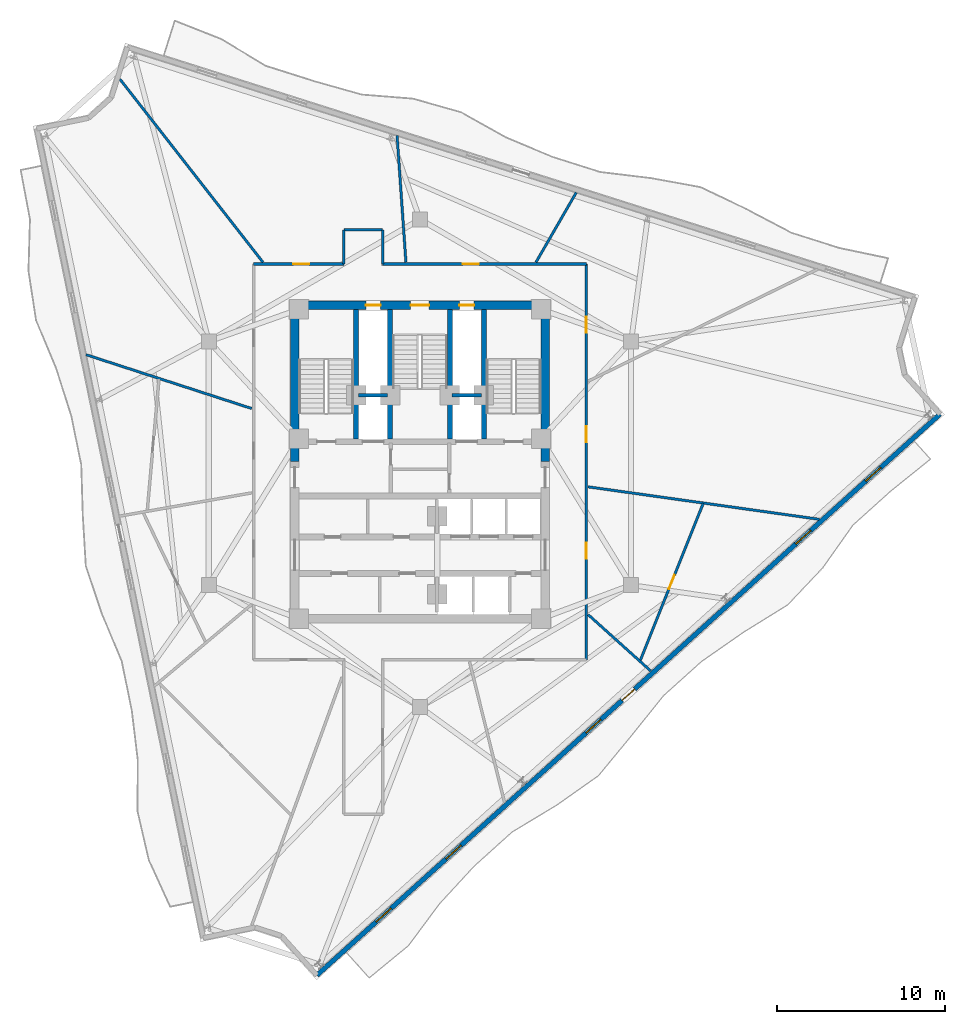
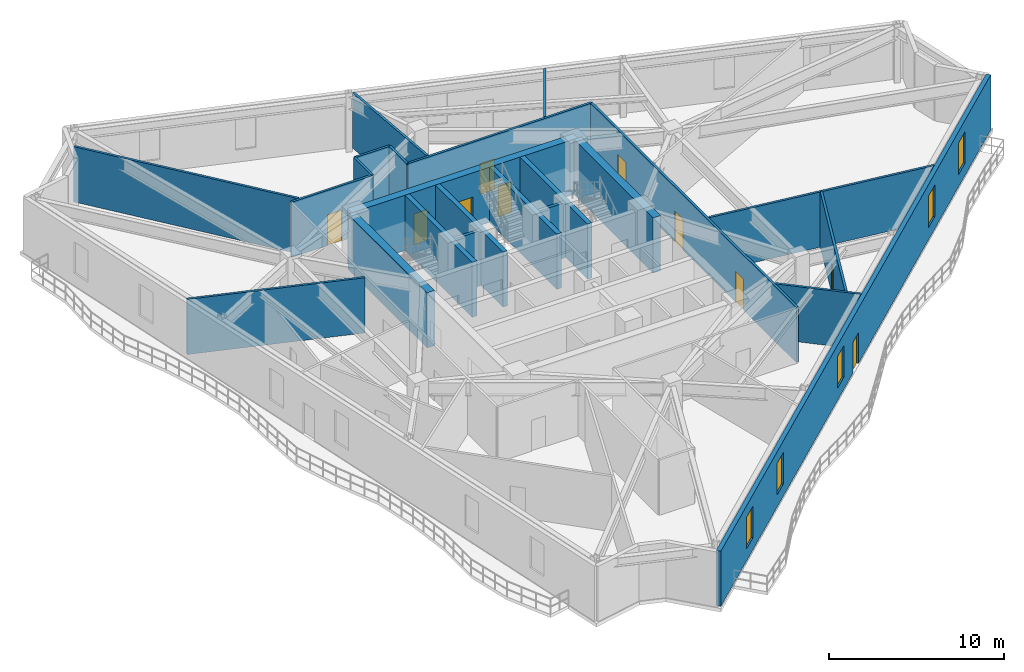
# One storey, part 7 of 12: 23 walls, 10 doors, 5 windows, 15 openings.
"""IFC4 building model written with IfcOpenShell, lengths in metres."""

from ifc_helpers import new_model, si_unit, direction, frame, frame_2d, origin, place, context, subcontext, project, spatial, rectangle, extrude, material, layer, layer_set, type_object, element, fill, save


model = new_model("IFC4")

# Units and contexts
model_context = context("Model", 3, precision=1e-05, world=origin(), true_north=direction((0.0, 1.0)))
body_context = subcontext(model_context, "Body", "Model", "MODEL_VIEW")
ifc_project = project(units=[si_unit("LENGTHUNIT", "METRE"), si_unit("AREAUNIT", "SQUARE_METRE"), si_unit("VOLUMEUNIT", "CUBIC_METRE"), si_unit("PLANEANGLEUNIT", "RADIAN"), si_unit("MASSUNIT", "GRAM", prefix="KILO")], contexts=[model_context])

# Site, building, storey
site_placement = place(None, origin())
site = spatial("IfcSite", under=ifc_project, at=site_placement, CompositionType="ELEMENT")
building_placement = place(site_placement, origin())
building = spatial("IfcBuilding", under=site, at=building_placement, Name="Apsidion Concourse Tower", CompositionType="ELEMENT")
storey_placement = place(building_placement, frame((0.0, 0.0, 232.199951171875)))
storey = spatial("IfcBuildingStorey", under=building, at=storey_placement, Name="L54", CompositionType="ELEMENT", Elevation=232.199951171875)

# Wall, openings, door, windows
ifc_material_1 = material(Name="Precast concrete C40/50", Category="concrete")
ifc_layer_1 = layer(ifc_material_1, 0.280029296875)
ifc_layer_set_1 = layer_set([ifc_layer_1], Name="Precast concrete C40/50")
wall_type_1 = type_object("IfcWallType", Name="WL-EXT-280", PredefinedType="STANDARD", material=ifc_layer_set_1)
wall_1_placement = place(storey_placement, frame((30.9345703125, 2.915771484375, 0.0), z_axis=(0.0, 0.0, 1.0), x_axis=(-0.743143233829, -0.66913237406, 0.0)))
wall_1 = element("IfcWall", 1, at=wall_1_placement, inside=storey, type_object=wall_type_1, Name="L54 Precast Stone Facade Wall 05", PredefinedType="STANDARD", context=body_context, shape_type="SweptSolid", body=[
    extrude(rectangle(XDim=49.8798828125, YDim=0.280029296875, at=frame_2d((24.93994140625, 0.0))), origin(), (0.0, 0.0, 1.0), 3.85009765625),
])
opening_1_placement = place(wall_1_placement, frame((24.43994140625, 0.0, 0.0)))
opening_1 = element("IfcOpeningElement", 2, at=opening_1_placement, cuts=wall_1, Name="Opening D-T1R", PredefinedType="OPENING", context=body_context, shape_type="SweptSolid", body=[
    extrude(rectangle(XDim=1.0, YDim=2.14990234375, at=frame_2d((0.5, 1.074951171875))), frame((0.0, 0.14990234375, 0.0), z_axis=(0.0, -1.0, 0.0), x_axis=(1.0, 0.0, 0.0)), (0.0, 0.0, 1.0), 0.300048828125),
])
opening_2_placement = place(wall_1_placement, frame((4.739990234375, 0.0, 0.85009765625)))
opening_2 = element("IfcOpeningElement", 3, at=opening_2_placement, cuts=wall_1, Name="Opening WN-06", PredefinedType="OPENING", context=body_context, shape_type="SweptSolid", body=[
    extrude(rectangle(XDim=1.199951171875, YDim=2.199951171875, at=frame_2d((0.60009765625, 1.10009765625))), frame((0.0, 0.14990234375, 0.0), z_axis=(0.0, -1.0, 0.0), x_axis=(1.0, 0.0, 0.0)), (0.0, 0.0, 1.0), 0.300048828125),
])
opening_3_placement = place(wall_1_placement, frame((10.33984375, 0.0, 0.85009765625)))
opening_3 = element("IfcOpeningElement", 4, at=opening_3_placement, cuts=wall_1, Name="Opening WN-06", PredefinedType="OPENING", context=body_context, shape_type="SweptSolid", body=[
    extrude(rectangle(XDim=1.199951171875, YDim=2.199951171875, at=frame_2d((0.60009765625, 1.10009765625))), frame((0.0, 0.14990234375, 0.0), z_axis=(0.0, -1.0, 0.0), x_axis=(1.0, 0.0, 0.0)), (0.0, 0.0, 1.0), 0.300048828125),
])
opening_4_placement = place(wall_1_placement, frame((27.139892578125, 0.0, 0.85009765625)))
opening_4 = element("IfcOpeningElement", 5, at=opening_4_placement, cuts=wall_1, Name="Opening WN-06", PredefinedType="OPENING", context=body_context, shape_type="SweptSolid", body=[
    extrude(rectangle(XDim=1.199951171875, YDim=2.199951171875, at=frame_2d((0.60009765625, 1.10009765625))), frame((0.0, 0.14990234375, 0.0), z_axis=(0.0, -1.0, 0.0), x_axis=(1.0, 0.0, 0.0)), (0.0, 0.0, 1.0), 0.300048828125),
])
opening_5_placement = place(wall_1_placement, frame((38.33984375, 0.0, 0.85009765625)))
opening_5 = element("IfcOpeningElement", 6, at=opening_5_placement, cuts=wall_1, Name="Opening WN-06", PredefinedType="OPENING", context=body_context, shape_type="SweptSolid", body=[
    extrude(rectangle(XDim=1.199951171875, YDim=2.199951171875, at=frame_2d((0.60009765625, 1.10009765625))), frame((0.0, 0.14990234375, 0.0), z_axis=(0.0, -1.0, 0.0), x_axis=(1.0, 0.0, 0.0)), (0.0, 0.0, 1.0), 0.300048828125),
])
opening_6_placement = place(wall_1_placement, frame((43.93994140625, 0.0, 0.85009765625)))
opening_6 = element("IfcOpeningElement", 7, at=opening_6_placement, cuts=wall_1, Name="Opening WN-06", PredefinedType="OPENING", context=body_context, shape_type="SweptSolid", body=[
    extrude(rectangle(XDim=1.199951171875, YDim=2.199951171875, at=frame_2d((0.60009765625, 1.10009765625))), frame((0.0, 0.14990234375, 0.0), z_axis=(0.0, -1.0, 0.0), x_axis=(1.0, 0.0, 0.0)), (0.0, 0.0, 1.0), 0.300048828125),
])
ifc_material_2 = material(Name="Anodised aluminium EN AW-6063 T6", Category="aluminium")
door_type_1 = type_object("IfcDoorType", Name="DR-TER-1022R", OperationType="SINGLE_SWING_RIGHT", PredefinedType="DOOR", material=ifc_material_2)
door_1_placement = place(opening_1_placement, origin())
door_1 = element("IfcDoor", 8, at=door_1_placement, inside=storey, type_object=door_type_1, Name="L54 Balcony Access Door 2", OperationType="SINGLE_SWING_RIGHT", OverallHeight=2.14990234375, OverallWidth=1.0, PredefinedType="DOOR", context=body_context, shape_type="SweptSolid", body=[
    extrude(rectangle(XDim=1.0, YDim=2.14990234375, at=frame_2d((0.5, 1.074951171875))), frame((0.0, 0.02490234375, 0.0), z_axis=(0.0, -1.0, 0.0), x_axis=(1.0, 0.0, 0.0)), (0.0, 0.0, 1.0), 0.050048828125),
])
fill(opening_1, door_1)
ifc_material_3 = material(Name="Insulated laminated low-E glass", Category="glass")
window_type = type_object("IfcWindowType", Name="WN-OFF-1224", PartitioningType="SINGLE_PANEL", PredefinedType="WINDOW", material=ifc_material_3)
window_1_placement = place(opening_2_placement, origin())
window_1 = element("IfcWindow", 9, at=window_1_placement, inside=storey, type_object=window_type, Name="L54 Punched Facade Window 5-01", OverallHeight=2.199951171875, OverallWidth=1.199951171875, PartitioningType="SINGLE_PANEL", PredefinedType="WINDOW", context=body_context, shape_type="SweptSolid", body=[
    extrude(rectangle(XDim=1.199951171875, YDim=2.199951171875, at=frame_2d((0.60009765625, 1.10009765625))), frame((0.0, 0.030029296875, 0.0), z_axis=(0.0, -1.0, 0.0), x_axis=(1.0, 0.0, 0.0)), (0.0, 0.0, 1.0), 0.06005859375),
])
fill(opening_2, window_1)
window_2_placement = place(opening_3_placement, origin())
window_2 = element("IfcWindow", 10, at=window_2_placement, inside=storey, type_object=window_type, Name="L54 Punched Facade Window 5-02", OverallHeight=2.199951171875, OverallWidth=1.199951171875, PartitioningType="SINGLE_PANEL", PredefinedType="WINDOW", context=body_context, shape_type="SweptSolid", body=[
    extrude(rectangle(XDim=1.199951171875, YDim=2.199951171875, at=frame_2d((0.60009765625, 1.10009765625))), frame((0.0, 0.030029296875, 0.0), z_axis=(0.0, -1.0, 0.0), x_axis=(1.0, 0.0, 0.0)), (0.0, 0.0, 1.0), 0.06005859375),
])
fill(opening_3, window_2)
window_3_placement = place(opening_4_placement, origin())
window_3 = element("IfcWindow", 11, at=window_3_placement, inside=storey, type_object=window_type, Name="L54 Punched Facade Window 5-05", OverallHeight=2.199951171875, OverallWidth=1.199951171875, PartitioningType="SINGLE_PANEL", PredefinedType="WINDOW", context=body_context, shape_type="SweptSolid", body=[
    extrude(rectangle(XDim=1.199951171875, YDim=2.199951171875, at=frame_2d((0.60009765625, 1.10009765625))), frame((0.0, 0.030029296875, 0.0), z_axis=(0.0, -1.0, 0.0), x_axis=(1.0, 0.0, 0.0)), (0.0, 0.0, 1.0), 0.06005859375),
])
fill(opening_4, window_3)
window_4_placement = place(opening_5_placement, origin())
window_4 = element("IfcWindow", 12, at=window_4_placement, inside=storey, type_object=window_type, Name="L54 Punched Facade Window 5-07", OverallHeight=2.199951171875, OverallWidth=1.199951171875, PartitioningType="SINGLE_PANEL", PredefinedType="WINDOW", context=body_context, shape_type="SweptSolid", body=[
    extrude(rectangle(XDim=1.199951171875, YDim=2.199951171875, at=frame_2d((0.60009765625, 1.10009765625))), frame((0.0, 0.030029296875, 0.0), z_axis=(0.0, -1.0, 0.0), x_axis=(1.0, 0.0, 0.0)), (0.0, 0.0, 1.0), 0.06005859375),
])
fill(opening_5, window_4)
window_5_placement = place(opening_6_placement, origin())
window_5 = element("IfcWindow", 13, at=window_5_placement, inside=storey, type_object=window_type, Name="L54 Punched Facade Window 5-08", OverallHeight=2.199951171875, OverallWidth=1.199951171875, PartitioningType="SINGLE_PANEL", PredefinedType="WINDOW", context=body_context, shape_type="SweptSolid", body=[
    extrude(rectangle(XDim=1.199951171875, YDim=2.199951171875, at=frame_2d((0.60009765625, 1.10009765625))), frame((0.0, 0.030029296875, 0.0), z_axis=(0.0, -1.0, 0.0), x_axis=(1.0, 0.0, 0.0)), (0.0, 0.0, 1.0), 0.06005859375),
])
fill(opening_6, window_5)

# Wall, opening, door
ifc_material_4 = material(Name="Gypsum plasterboard partition")
ifc_layer_2 = layer(ifc_material_4, 0.14990234375)
ifc_layer_set_2 = layer_set([ifc_layer_2], Name="Gypsum plasterboard partition")
wall_type_2 = type_object("IfcWallType", Name="WL-INT-PAR-150", PredefinedType="PARTITIONING", material=ifc_layer_set_2)
wall_2_placement = place(storey_placement, frame((-9.89990234375, 11.85009765625, 0.0), z_axis=(0.0, 0.0, 1.0), x_axis=(1.0, 0.0, 0.0)))
wall_2 = element("IfcWall", 14, at=wall_2_placement, inside=storey, type_object=wall_type_2, Name="L54 Interior Partition WL-L54-CORR-03", PredefinedType="PARTITIONING", context=body_context, shape_type="SweptSolid", body=[
    extrude(rectangle(XDim=5.369873046875, YDim=0.14990234375, at=frame_2d((2.68505859375, 0.0))), origin(), (0.0, 0.0, 1.0), 3.85009765625),
])
opening_7_placement = place(wall_2_placement, frame((2.362548828125, 0.0, 0.0)))
opening_7 = element("IfcOpeningElement", 15, at=opening_7_placement, cuts=wall_2, Name="Opening D-01L", PredefinedType="OPENING", context=body_context, shape_type="SweptSolid", body=[
    extrude(rectangle(XDim=0.949951171875, YDim=2.14990234375, at=frame_2d((0.47509765625, 1.074951171875))), frame((0.0, 0.0849609375, 0.0), z_axis=(0.0, -1.0, 0.0), x_axis=(1.0, 0.0, 0.0)), (0.0, 0.0, 1.0), 0.169921875),
])
ifc_material_5 = material(Name="Brushed stainless steel 316", Category="steel")
door_type_2 = type_object("IfcDoorType", Name="DR-INT-D01L", OperationType="SINGLE_SWING_LEFT", PredefinedType="DOOR", material=ifc_material_5)
door_2_placement = place(opening_7_placement, origin())
door_2 = element("IfcDoor", 16, at=door_2_placement, inside=storey, type_object=door_type_2, Name="L54 Corridor Entry Door 09", OperationType="SINGLE_SWING_LEFT", OverallHeight=2.14990234375, OverallWidth=0.949951171875, PredefinedType="DOOR", context=body_context, shape_type="SweptSolid", body=[
    extrude(rectangle(XDim=0.949951171875, YDim=2.14990234375, at=frame_2d((0.47509765625, 1.074951171875))), frame((0.0, 0.02490234375, 0.0), z_axis=(0.0, -1.0, 0.0), x_axis=(1.0, 0.0, 0.0)), (0.0, 0.0, 1.0), 0.050048828125),
])
fill(opening_7, door_2)

# Walls
wall_3_placement = place(storey_placement, frame((-4.530029296875, 11.85009765625, 0.0), z_axis=(0.0, 0.0, 1.0), x_axis=(0.0, 1.0, 0.0)))
element("IfcWall", 17, at=wall_3_placement, inside=storey, type_object=wall_type_2, Name="L54 Interior Partition WL-L54-CORR-04", PredefinedType="PARTITIONING", context=body_context, shape_type="SweptSolid", body=[
    extrude(rectangle(XDim=2.02978515625, YDim=0.14990234375, at=frame_2d((1.014892578125, 0.0))), origin(), (0.0, 0.0, 1.0), 3.85009765625),
])
wall_4_placement = place(storey_placement, frame((-4.530029296875, 13.8798828125, 0.0), z_axis=(0.0, 0.0, 1.0), x_axis=(1.0, 0.0, 0.0)))
element("IfcWall", 18, at=wall_4_placement, inside=storey, type_object=wall_type_2, Name="L54 Interior Partition WL-L54-CORR-05", PredefinedType="PARTITIONING", context=body_context, shape_type="SweptSolid", body=[
    extrude(rectangle(XDim=2.31005859375, YDim=0.14990234375, at=frame_2d((1.155029296875, 0.0))), origin(), (0.0, 0.0, 1.0), 3.85009765625),
])
wall_5_placement = place(storey_placement, frame((-2.219970703125, 13.8798828125, 0.0), z_axis=(0.0, 0.0, 1.0), x_axis=(0.0, -1.0, 0.0)))
element("IfcWall", 19, at=wall_5_placement, inside=storey, type_object=wall_type_2, Name="L54 Interior Partition WL-L54-CORR-06", PredefinedType="PARTITIONING", context=body_context, shape_type="SweptSolid", body=[
    extrude(rectangle(XDim=2.02978515625, YDim=0.14990234375, at=frame_2d((1.014892578125, 0.0))), origin(), (0.0, 0.0, 1.0), 3.85009765625),
])

# Wall, opening, door
wall_6_placement = place(storey_placement, frame((-2.219970703125, 11.85009765625, 0.0), z_axis=(0.0, 0.0, 1.0), x_axis=(1.0, 0.0, 0.0)))
wall_6 = element("IfcWall", 20, at=wall_6_placement, inside=storey, type_object=wall_type_2, Name="L54 Interior Partition WL-L54-CORR-07", PredefinedType="PARTITIONING", context=body_context, shape_type="SweptSolid", body=[
    extrude(rectangle(XDim=12.119873046875, YDim=0.14990234375, at=frame_2d((6.06005859375, 0.0))), origin(), (0.0, 0.0, 1.0), 3.85009765625),
])
opening_8_placement = place(wall_6_placement, frame((4.774169921875, 0.0, 0.0)))
opening_8 = element("IfcOpeningElement", 21, at=opening_8_placement, cuts=wall_6, Name="Opening D-01R", PredefinedType="OPENING", context=body_context, shape_type="SweptSolid", body=[
    extrude(rectangle(XDim=0.949951171875, YDim=2.14990234375, at=frame_2d((0.47509765625, 1.074951171875))), frame((0.0, 0.0849609375, 0.0), z_axis=(0.0, -1.0, 0.0), x_axis=(1.0, 0.0, 0.0)), (0.0, 0.0, 1.0), 0.169921875),
])
door_type_3 = type_object("IfcDoorType", Name="DR-INT-D01R", OperationType="SINGLE_SWING_RIGHT", PredefinedType="DOOR", material=ifc_material_5)
door_3_placement = place(opening_8_placement, origin())
door_3 = element("IfcDoor", 22, at=door_3_placement, inside=storey, type_object=door_type_3, Name="L54 Corridor Entry Door 08", OperationType="SINGLE_SWING_RIGHT", OverallHeight=2.14990234375, OverallWidth=0.949951171875, PredefinedType="DOOR", context=body_context, shape_type="SweptSolid", body=[
    extrude(rectangle(XDim=0.949951171875, YDim=2.14990234375, at=frame_2d((0.47509765625, 1.074951171875))), frame((0.0, 0.02490234375, 0.0), z_axis=(0.0, -1.0, 0.0), x_axis=(1.0, 0.0, 0.0)), (0.0, 0.0, 1.0), 0.050048828125),
])
fill(opening_8, door_3)

# Wall, openings, doors
wall_7_placement = place(storey_placement, frame((9.89990234375, 11.85009765625, 0.0), z_axis=(0.0, 0.0, 1.0), x_axis=(0.0, -1.0, 0.0)))
wall_7 = element("IfcWall", 23, at=wall_7_placement, inside=storey, type_object=wall_type_2, Name="L54 Interior Partition WL-L54-CORR-08", PredefinedType="PARTITIONING", context=body_context, shape_type="SweptSolid", body=[
    extrude(rectangle(XDim=23.550048828125, YDim=0.14990234375, at=frame_2d((11.77490234375, 0.0))), origin(), (0.0, 0.0, 1.0), 3.85009765625),
])
opening_9_placement = place(wall_7_placement, frame((16.584716796875, 0.0, 0.0)))
opening_9 = element("IfcOpeningElement", 24, at=opening_9_placement, cuts=wall_7, Name="Opening D-01L", PredefinedType="OPENING", context=body_context, shape_type="SweptSolid", body=[
    extrude(rectangle(XDim=0.949951171875, YDim=2.14990234375, at=frame_2d((0.47509765625, 1.074951171875))), frame((0.0, 0.0849609375, 0.0), z_axis=(0.0, -1.0, 0.0), x_axis=(1.0, 0.0, 0.0)), (0.0, 0.0, 1.0), 0.169921875),
])
opening_10_placement = place(wall_7_placement, frame((9.64208984375, 0.0, 0.0)))
opening_10 = element("IfcOpeningElement", 25, at=opening_10_placement, cuts=wall_7, Name="Opening D-01R", PredefinedType="OPENING", context=body_context, shape_type="SweptSolid", body=[
    extrude(rectangle(XDim=0.949951171875, YDim=2.14990234375, at=frame_2d((0.47509765625, 1.074951171875))), frame((0.0, 0.0849609375, 0.0), z_axis=(0.0, -1.0, 0.0), x_axis=(1.0, 0.0, 0.0)), (0.0, 0.0, 1.0), 0.169921875),
])
opening_11_placement = place(wall_7_placement, frame((3.139892578125, 0.0, 0.0)))
opening_11 = element("IfcOpeningElement", 26, at=opening_11_placement, cuts=wall_7, Name="Opening D-01L", PredefinedType="OPENING", context=body_context, shape_type="SweptSolid", body=[
    extrude(rectangle(XDim=0.949951171875, YDim=2.14990234375, at=frame_2d((0.47509765625, 1.074951171875))), frame((0.0, 0.0849609375, 0.0), z_axis=(0.0, -1.0, 0.0), x_axis=(1.0, 0.0, 0.0)), (0.0, 0.0, 1.0), 0.169921875),
])
door_4_placement = place(opening_9_placement, origin())
door_4 = element("IfcDoor", 27, at=door_4_placement, inside=storey, type_object=door_type_2, Name="L54 Corridor Entry Door 05", OperationType="SINGLE_SWING_LEFT", OverallHeight=2.14990234375, OverallWidth=0.949951171875, PredefinedType="DOOR", context=body_context, shape_type="SweptSolid", body=[
    extrude(rectangle(XDim=0.949951171875, YDim=2.14990234375, at=frame_2d((0.47509765625, 1.074951171875))), frame((0.0, 0.02490234375, 0.0), z_axis=(0.0, -1.0, 0.0), x_axis=(1.0, 0.0, 0.0)), (0.0, 0.0, 1.0), 0.050048828125),
])
fill(opening_9, door_4)
door_5_placement = place(opening_11_placement, origin())
door_5 = element("IfcDoor", 28, at=door_5_placement, inside=storey, type_object=door_type_2, Name="L54 Corridor Entry Door 07", OperationType="SINGLE_SWING_LEFT", OverallHeight=2.14990234375, OverallWidth=0.949951171875, PredefinedType="DOOR", context=body_context, shape_type="SweptSolid", body=[
    extrude(rectangle(XDim=0.949951171875, YDim=2.14990234375, at=frame_2d((0.47509765625, 1.074951171875))), frame((0.0, 0.02490234375, 0.0), z_axis=(0.0, -1.0, 0.0), x_axis=(1.0, 0.0, 0.0)), (0.0, 0.0, 1.0), 0.050048828125),
])
fill(opening_11, door_5)
door_6_placement = place(opening_10_placement, origin())
door_6 = element("IfcDoor", 29, at=door_6_placement, inside=storey, type_object=door_type_3, Name="L54 Corridor Entry Door 06", OperationType="SINGLE_SWING_RIGHT", OverallHeight=2.14990234375, OverallWidth=0.949951171875, PredefinedType="DOOR", context=body_context, shape_type="SweptSolid", body=[
    extrude(rectangle(XDim=0.949951171875, YDim=2.14990234375, at=frame_2d((0.47509765625, 1.074951171875))), frame((0.0, 0.02490234375, 0.0), z_axis=(0.0, -1.0, 0.0), x_axis=(1.0, 0.0, 0.0)), (0.0, 0.0, 1.0), 0.050048828125),
])
fill(opening_10, door_6)

# Walls
wall_8_placement = place(storey_placement, frame((6.902099609375, 11.955078125, 0.0), z_axis=(0.0, 0.0, 1.0), x_axis=(0.500009234706, 0.866020072059, 0.0)))
element("IfcWall", 30, at=wall_8_placement, inside=storey, type_object=wall_type_2, Name="L54 Interior Partition WL-L54-RAD-02-1", PredefinedType="PARTITIONING", context=body_context, shape_type="SweptSolid", body=[
    extrude(rectangle(XDim=4.7900390625, YDim=0.14990234375, at=frame_2d((2.39501953125, 0.0))), origin(), (0.0, 0.0, 1.0), 3.85009765625),
])
wall_9_placement = place(storey_placement, frame((-0.8359375, 11.955078125, 0.0), z_axis=(0.0, 0.0, 1.0), x_axis=(-0.069760607816, 0.997563761169, 0.0)))
element("IfcWall", 31, at=wall_9_placement, inside=storey, type_object=wall_type_2, Name="L54 Interior Partition WL-L54-RAD-03-1", PredefinedType="PARTITIONING", context=body_context, shape_type="SweptSolid", body=[
    extrude(rectangle(XDim=7.55224609375, YDim=0.14990234375, at=frame_2d((3.776123046875, 0.0))), origin(), (0.0, 0.0, 1.0), 3.85009765625),
])
wall_10_placement = place(storey_placement, frame((-9.34033203125, 11.955078125, 0.0), z_axis=(0.0, 0.0, 1.0), x_axis=(-0.615663582136, 0.788009107582, 0.0)))
element("IfcWall", 32, at=wall_10_placement, inside=storey, type_object=wall_type_2, Name="L54 Interior Partition WL-L54-RAD-04-1", PredefinedType="PARTITIONING", context=body_context, shape_type="SweptSolid", body=[
    extrude(rectangle(XDim=13.820068359375, YDim=0.14990234375, at=frame_2d((6.91015625, 0.0))), origin(), (0.0, 0.0, 1.0), 3.85009765625),
])
wall_11_placement = place(storey_placement, frame((-10.0048828125, 3.250732421875, 0.0), z_axis=(0.0, 0.0, 1.0), x_axis=(-0.951056724961, 0.309016352167, 0.0)))
element("IfcWall", 33, at=wall_11_placement, inside=storey, type_object=wall_type_2, Name="L54 Interior Partition WL-L54-RAD-05-1", PredefinedType="PARTITIONING", context=body_context, shape_type="SweptSolid", body=[
    extrude(rectangle(XDim=10.37255859375, YDim=0.14990234375, at=frame_2d((5.186279296875, 0.0))), origin(), (0.0, 0.0, 1.0), 3.85009765625),
])
wall_12_placement = place(storey_placement, frame((10.0048828125, -9.008544921875, 0.0), z_axis=(0.0, 0.0, 1.0), x_axis=(0.743153755308, -0.669120688644, 0.0)))
element("IfcWall", 34, at=wall_12_placement, inside=storey, type_object=wall_type_2, Name="L54 Interior Partition WL-L54-RAD-10-1", PredefinedType="PARTITIONING", context=body_context, shape_type="SweptSolid", body=[
    extrude(rectangle(XDim=5.015869140625, YDim=0.14990234375, at=frame_2d((2.5078125, 0.0))), origin(), (0.0, 0.0, 1.0), 3.85009765625),
])
wall_13_placement = place(storey_placement, frame((10.0048828125, -1.406005859375, 0.0), z_axis=(0.0, 0.0, 1.0), x_axis=(0.990266235932, -0.139186141457, 0.0)))
element("IfcWall", 35, at=wall_13_placement, inside=storey, type_object=wall_type_2, Name="L54 Interior Partition WL-L54-RAD-11-1", PredefinedType="PARTITIONING", context=body_context, shape_type="SweptSolid", body=[
    extrude(rectangle(XDim=13.886962890625, YDim=0.14990234375, at=frame_2d((6.943359375, 0.0))), origin(), (0.0, 0.0, 1.0), 3.85009765625),
])

# Wall, opening, door
wall_14_placement = place(storey_placement, frame((13.093994140625, -11.75634765625, 0.0), z_axis=(0.0, 0.0, 1.0), x_axis=(0.372320948008, 0.928104041406, 0.0)))
wall_14 = element("IfcWall", 36, at=wall_14_placement, inside=storey, type_object=wall_type_2, Name="L54 Interior Partition WL-L54-CHD-OFS04", PredefinedType="PARTITIONING", context=body_context, shape_type="SweptSolid", body=[
    extrude(rectangle(XDim=10.08837890625, YDim=0.14990234375, at=frame_2d((5.044189453125, 0.0))), origin(), (0.0, 0.0, 1.0), 3.85009765625),
])
opening_12_placement = place(wall_14_placement, frame((4.593994140625, 0.0, 0.0)))
opening_12 = element("IfcOpeningElement", 37, at=opening_12_placement, cuts=wall_14, Name="Opening D-02L", PredefinedType="OPENING", context=body_context, shape_type="SweptSolid", body=[
    extrude(rectangle(XDim=0.89990234375, YDim=2.10009765625, at=frame_2d((0.449951171875, 1.050048828125))), frame((0.0, 0.0849609375, 0.0), z_axis=(0.0, -1.0, 0.0), x_axis=(1.0, 0.0, 0.0)), (0.0, 0.0, 1.0), 0.169921875),
])
door_type_4 = type_object("IfcDoorType", Name="DR-INT-D02L", OperationType="SINGLE_SWING_LEFT", PredefinedType="DOOR", material=ifc_material_2)
door_7_placement = place(opening_12_placement, origin())
door_7 = element("IfcDoor", 38, at=door_7_placement, inside=storey, type_object=door_type_4, Name="L54 Suite Connecting Door OFS04", OperationType="SINGLE_SWING_LEFT", OverallHeight=2.10009765625, OverallWidth=0.89990234375, PredefinedType="DOOR", context=body_context, shape_type="SweptSolid", body=[
    extrude(rectangle(XDim=0.89990234375, YDim=2.10009765625, at=frame_2d((0.449951171875, 1.050048828125))), frame((0.0, 0.02490234375, 0.0), z_axis=(0.0, -1.0, 0.0), x_axis=(1.0, 0.0, 0.0)), (0.0, 0.0, 1.0), 0.050048828125),
])
fill(opening_12, door_7)

# Walls
ifc_layer_3 = layer(ifc_material_4, 0.199951171875)
ifc_layer_set_3 = layer_set([ifc_layer_3], Name="Gypsum plasterboard partition")
wall_type_3 = type_object("IfcWallType", Name="WL-INT-PAR-200", PredefinedType="PARTITIONING", material=ifc_layer_set_3)
for number, where, z_axis, x_axis, name in (
    (39, (-3.64990234375, 4.050048828125, 0.0), (0.0, 0.0, 1.0), (1.0, 0.0, 0.0), "L54 Interior Partition WL-L54-FF1-N"),
    (40, (1.919921875, 4.050048828125, 0.0), (0.0, 0.0, 1.0), (1.0, 0.0, 0.0), "L54 Interior Partition WL-L54-FF2-N"),
):
    element("IfcWall", number, at=place(storey_placement, frame(where, z_axis=z_axis, x_axis=x_axis)), inside=storey, type_object=wall_type_3, Name=name, PredefinedType="PARTITIONING", context=body_context, shape_type="SweptSolid", body=[
        extrude(rectangle(XDim=1.72998046875, YDim=0.199951171875, at=frame_2d((0.864990234375, 0.0))), origin(), (0.0, 0.0, 1.0), 3.85009765625),
    ])
ifc_material_6 = material(Name="Concrete C50/60", Category="concrete")
ifc_layer_4 = layer(ifc_material_6, 0.300048828125)
ifc_layer_set_4 = layer_set([ifc_layer_4], Name="Concrete C50/60")
wall_type_4 = type_object("IfcWallType", Name="WL-SH-300", PredefinedType="SHEAR", material=ifc_layer_set_4)
for number, where, z_axis, x_axis, name in (
    (41, (-3.800048828125, 1.449951171875, 0.0), (0.0, 0.0, 1.0), (0.0, 1.0, 0.0), "L54 Central Core Shear Wall V1"),
    (42, (-1.77490234375, 1.449951171875, 0.0), (0.0, 0.0, 1.0), (0.0, 1.0, 0.0), "L54 Central Core Shear Wall V2"),
    (43, (1.77490234375, 1.449951171875, 0.0), (0.0, 0.0, 1.0), (0.0, 1.0, 0.0), "L54 Central Core Shear Wall V3"),
    (44, (3.800048828125, 1.449951171875, 0.0), (0.0, 0.0, 1.0), (0.0, 1.0, 0.0), "L54 Central Core Shear Wall V4"),
):
    element("IfcWall", number, at=place(storey_placement, frame(where, z_axis=z_axis, x_axis=x_axis)), inside=storey, type_object=wall_type_4, Name=name, PredefinedType="SHEAR", context=body_context, shape_type="SweptSolid", body=[
        extrude(rectangle(XDim=7.699951171875, YDim=0.300048828125, at=frame_2d((3.85009765625, 0.0))), origin(), (0.0, 0.0, 1.0), 3.85009765625),
    ])

# Wall, openings, doors
ifc_layer_5 = layer(ifc_material_6, 0.5)
ifc_layer_set_5 = layer_set([ifc_layer_5], Name="Concrete C50/60")
wall_type_5 = type_object("IfcWallType", Name="WL-SH-500", PredefinedType="SHEAR", material=ifc_layer_set_5)
wall_15_placement = place(storey_placement, frame((-7.449951171875, 9.39990234375, 0.0), z_axis=(0.0, 0.0, 1.0), x_axis=(1.0, 0.0, 0.0)))
wall_15 = element("IfcWall", 45, at=wall_15_placement, inside=storey, type_object=wall_type_5, Name="L54 Central Core Shear Wall N", PredefinedType="SHEAR", context=body_context, shape_type="SweptSolid", body=[
    extrude(rectangle(XDim=14.89990234375, YDim=0.5, at=frame_2d((7.449951171875, 0.0))), origin(), (0.0, 0.0, 1.0), 3.85009765625),
])
opening_13_placement = place(wall_15_placement, frame((6.89990234375, 0.0, 0.0)))
opening_13 = element("IfcOpeningElement", 46, at=opening_13_placement, cuts=wall_15, Name="Opening D-STL", PredefinedType="OPENING", context=body_context, shape_type="SweptSolid", body=[
    extrude(rectangle(XDim=1.10009765625, YDim=2.14990234375, at=frame_2d((0.550048828125, 1.074951171875))), frame((0.0, 0.260009765625, 0.0), z_axis=(0.0, -1.0, 0.0), x_axis=(1.0, 0.0, 0.0)), (0.0, 0.0, 1.0), 0.52001953125),
])
opening_14_placement = place(wall_15_placement, frame((4.22998046875, 0.0, 0.0)))
opening_14 = element("IfcOpeningElement", 47, at=opening_14_placement, cuts=wall_15, Name="Opening D-05L", PredefinedType="OPENING", context=body_context, shape_type="SweptSolid", body=[
    extrude(rectangle(XDim=0.8798828125, YDim=2.14990234375, at=frame_2d((0.43994140625, 1.074951171875))), frame((0.0, 0.260009765625, 0.0), z_axis=(0.0, -1.0, 0.0), x_axis=(1.0, 0.0, 0.0)), (0.0, 0.0, 1.0), 0.52001953125),
])
opening_15_placement = place(wall_15_placement, frame((9.7900390625, 0.0, 0.0)))
opening_15 = element("IfcOpeningElement", 48, at=opening_15_placement, cuts=wall_15, Name="Opening D-05R", PredefinedType="OPENING", context=body_context, shape_type="SweptSolid", body=[
    extrude(rectangle(XDim=0.8798828125, YDim=2.14990234375, at=frame_2d((0.43994140625, 1.074951171875))), frame((0.0, 0.260009765625, 0.0), z_axis=(0.0, -1.0, 0.0), x_axis=(1.0, 0.0, 0.0)), (0.0, 0.0, 1.0), 0.52001953125),
])
door_type_5 = type_object("IfcDoorType", Name="DR-INT-D05L", OperationType="SINGLE_SWING_LEFT", PredefinedType="DOOR", material=ifc_material_5)
door_8_placement = place(opening_14_placement, origin())
door_8 = element("IfcDoor", 49, at=door_8_placement, inside=storey, type_object=door_type_5, Name="L54 Electrical Riser Shaft Access Door", OperationType="SINGLE_SWING_LEFT", OverallHeight=2.14990234375, OverallWidth=0.8798828125, PredefinedType="DOOR", context=body_context, shape_type="SweptSolid", body=[
    extrude(rectangle(XDim=0.8798828125, YDim=2.14990234375, at=frame_2d((0.43994140625, 1.074951171875))), frame((0.0, 0.02490234375, 0.0), z_axis=(0.0, -1.0, 0.0), x_axis=(1.0, 0.0, 0.0)), (0.0, 0.0, 1.0), 0.050048828125),
])
fill(opening_14, door_8)
door_type_6 = type_object("IfcDoorType", Name="DR-INT-D05R", OperationType="SINGLE_SWING_RIGHT", PredefinedType="DOOR", material=ifc_material_5)
door_9_placement = place(opening_15_placement, origin())
door_9 = element("IfcDoor", 50, at=door_9_placement, inside=storey, type_object=door_type_6, Name="L54 Mechanical Riser Shaft Access Door", OperationType="SINGLE_SWING_RIGHT", OverallHeight=2.14990234375, OverallWidth=0.8798828125, PredefinedType="DOOR", context=body_context, shape_type="SweptSolid", body=[
    extrude(rectangle(XDim=0.8798828125, YDim=2.14990234375, at=frame_2d((0.43994140625, 1.074951171875))), frame((0.0, 0.02490234375, 0.0), z_axis=(0.0, -1.0, 0.0), x_axis=(1.0, 0.0, 0.0)), (0.0, 0.0, 1.0), 0.050048828125),
])
fill(opening_15, door_9)
door_type_7 = type_object("IfcDoorType", Name="DR-INT-ST1L", OperationType="SINGLE_SWING_LEFT", PredefinedType="DOOR", material=ifc_material_5)
door_10_placement = place(opening_13_placement, origin())
door_10 = element("IfcDoor", 51, at=door_10_placement, inside=storey, type_object=door_type_7, Name="L54 Core Exit Stair ST3 Door", OperationType="SINGLE_SWING_LEFT", OverallHeight=2.14990234375, OverallWidth=1.10009765625, PredefinedType="DOOR", context=body_context, shape_type="SweptSolid", body=[
    extrude(rectangle(XDim=1.10009765625, YDim=2.14990234375, at=frame_2d((0.550048828125, 1.074951171875))), frame((0.0, 0.02490234375, 0.0), z_axis=(0.0, -1.0, 0.0), x_axis=(1.0, 0.0, 0.0)), (0.0, 0.0, 1.0), 0.050048828125),
])
fill(opening_13, door_10)

# Walls
for number, where, z_axis, x_axis, name in (
    (52, (-7.449951171875, 0.10009765625, 0.0), (0.0, 0.0, 1.0), (0.0, 1.0, 0.0), "L54 Central Core Shear Wall WN"),
    (53, (7.449951171875, 0.10009765625, 0.0), (0.0, 0.0, 1.0), (0.0, 1.0, 0.0), "L54 Central Core Shear Wall EN"),
):
    element("IfcWall", number, at=place(storey_placement, frame(where, z_axis=z_axis, x_axis=x_axis)), inside=storey, type_object=wall_type_5, Name=name, PredefinedType="SHEAR", context=body_context, shape_type="SweptSolid", body=[
        extrude(rectangle(XDim=9.0498046875, YDim=0.5, at=frame_2d((4.52490234375, 0.0))), origin(), (0.0, 0.0, 1.0), 3.85009765625),
    ])

save(model, "model.ifc")
